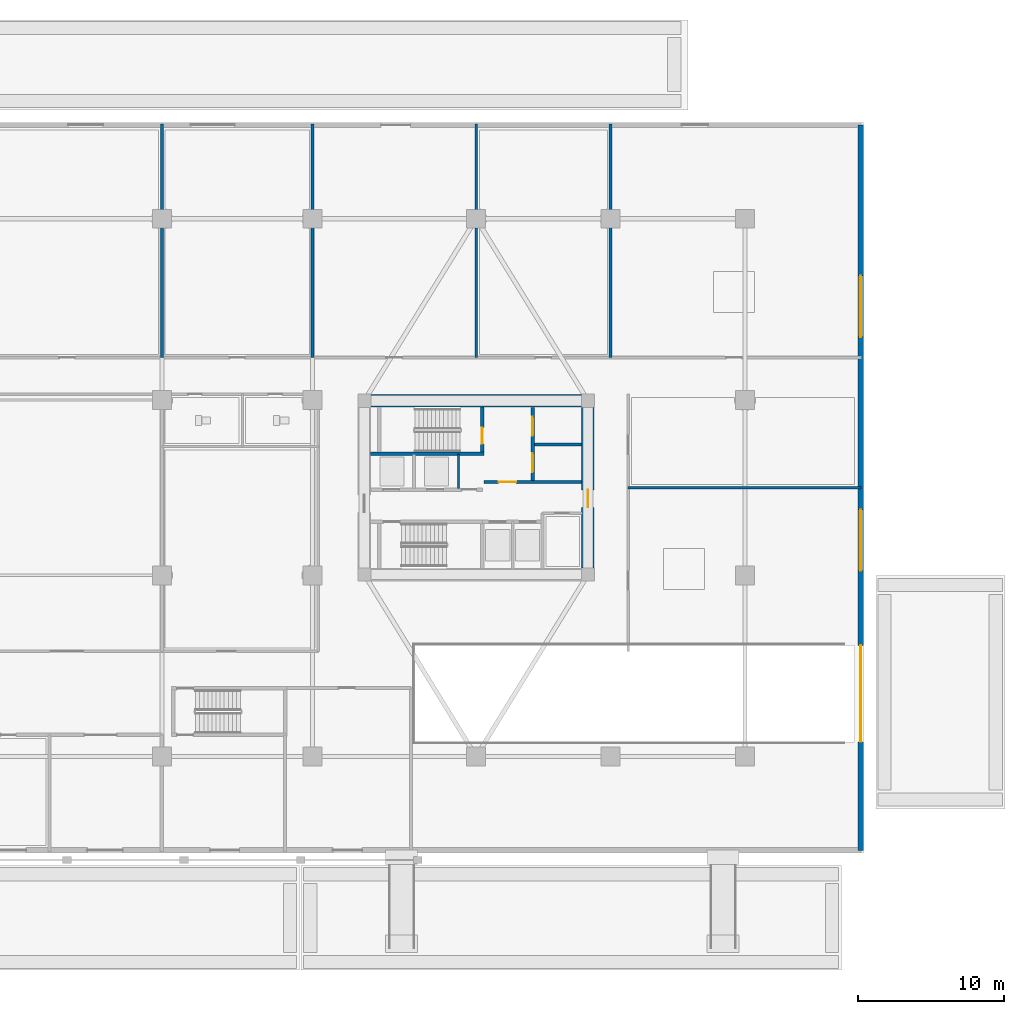
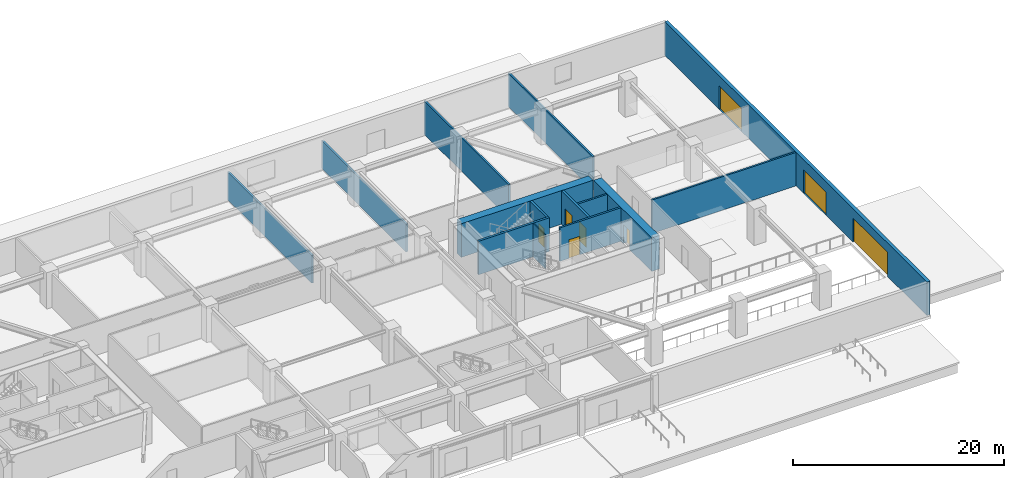
# One storey, part 11 of 22: 14 walls, 8 doors, 8 openings.
"""IFC4 building model written with IfcOpenShell, lengths in metres."""

from ifc_helpers import new_model, si_unit, direction, frame, frame_2d, origin, place, context, subcontext, project, spatial, rectangle, extrude, source, transform, mapped, material, layer, layer_set, type_object, type_shapes, element, fill, save


model = new_model("IFC4")

# Units and contexts
model_context = context("Model", 3, precision=1e-05, world=origin(), true_north=direction((0.0, 1.0)))
body_context = subcontext(model_context, "Body", "Model", "MODEL_VIEW")
ifc_project = project(units=[si_unit("LENGTHUNIT", "METRE"), si_unit("AREAUNIT", "SQUARE_METRE"), si_unit("VOLUMEUNIT", "CUBIC_METRE"), si_unit("PLANEANGLEUNIT", "RADIAN"), si_unit("MASSUNIT", "GRAM", prefix="KILO")], contexts=[model_context])

# Site, building, storey
site_placement = place(None, origin())
site = spatial("IfcSite", under=ifc_project, at=site_placement, CompositionType="ELEMENT")
building_placement = place(site_placement, origin())
building = spatial("IfcBuilding", under=site, at=building_placement, Name="Norrkilde Senior Care Towers", CompositionType="ELEMENT")
storey_placement = place(building_placement, origin())
storey = spatial("IfcBuildingStorey", under=building, at=storey_placement, Name="L00", CompositionType="ELEMENT", Elevation=0.0)

# Wall
ifc_material_1 = material(Name="Concrete C60/75", Category="concrete")
ifc_layer_1 = layer(ifc_material_1, 0.85009765625)
ifc_layer_set_1 = layer_set([ifc_layer_1], Name="Concrete C60/75")
wall_type_1 = type_object("IfcWallType", Name="Core Shear Wall Z1 850", PredefinedType="SHEAR", material=ifc_layer_set_1)
shared_shape_1 = source(origin(), body_context, "Body", "SweptSolid", [
    extrude(rectangle(XDim=14.39990234375, YDim=0.85009765625, at=frame_2d((7.199951171875, 0.0))), origin(), (0.0, 0.0, 1.0), 3.8798828125),
])
wall_1_placement = place(storey_placement, frame((20.800048828125, 5.949951171875, 0.0), z_axis=(0.0, 0.0, 1.0), x_axis=(1.0, 0.0, 0.0)))
element("IfcWall", 1, at=wall_1_placement, inside=storey, type_object=wall_type_1, Name="L00 Core E North Shear Wall", PredefinedType="SHEAR", context=body_context, shape_type="MappedRepresentation", body=[
    mapped(shared_shape_1, transform((0.0, 0.0, 0.0), x_axis=(1.0, 0.0, 0.0), y_axis=(0.0, 1.0, 0.0), z_axis=(0.0, 0.0, 1.0), scale=1.0)),
])

# Wall, opening, door
shared_shape_2 = source(origin(), body_context, "Body", "SweptSolid", [
    extrude(rectangle(XDim=11.0, YDim=0.85009765625, at=frame_2d((5.5, 0.0))), origin(), (0.0, 0.0, 1.0), 3.8798828125),
])
type_shapes(wall_type_1, [shared_shape_1, shared_shape_2])
wall_2_placement = place(storey_placement, frame((35.64990234375, 5.5, 0.0), z_axis=(0.0, 0.0, 1.0), x_axis=(0.0, -1.0, 0.0)))
wall_2 = element("IfcWall", 2, at=wall_2_placement, inside=storey, type_object=wall_type_1, Name="L00 Core E East Shear Wall", PredefinedType="SHEAR", context=body_context, shape_type="MappedRepresentation", body=[
    mapped(shared_shape_2, transform((0.0, 0.0, 0.0), x_axis=(1.0, 0.0, 0.0), y_axis=(0.0, 1.0, 0.0), z_axis=(0.0, 0.0, 1.0), scale=1.0)),
])
opening_1_placement = place(wall_2_placement, frame((5.64990234375, 0.0, 0.0)))
opening_1 = element("IfcOpeningElement", 3, at=opening_1_placement, cuts=wall_2, Name="Opening D-04", PredefinedType="OPENING", context=body_context, shape_type="SweptSolid", body=[
    extrude(rectangle(XDim=1.199951171875, YDim=2.14990234375, at=frame_2d((0.60009765625, 1.074951171875))), frame((0.0, 0.43505859375, 0.0), z_axis=(0.0, -1.0, 0.0), x_axis=(1.0, 0.0, 0.0)), (0.0, 0.0, 1.0), 0.8701171875),
])
ifc_material_2 = material(Name="Galvanised Painted Steel", Category="steel")
door_type_1 = type_object("IfcDoorType", Name="Firefighting Lobby Fire Door 1200x2150", OperationType="NOTDEFINED", PredefinedType="DOOR", material=ifc_material_2)
shared_shape_3 = source(origin(), body_context, "Body", "SweptSolid", [
    extrude(rectangle(XDim=1.199951171875, YDim=2.14990234375, at=frame_2d((0.60009765625, 1.074951171875))), frame((0.0, 0.02490234375, 0.0), z_axis=(0.0, -1.0, 0.0), x_axis=(1.0, 0.0, 0.0)), (0.0, 0.0, 1.0), 0.050048828125),
])
type_shapes(door_type_1, [shared_shape_3])
door_1_placement = place(opening_1_placement, frame((1.199951171875, 0.0, 0.0), z_axis=(0.0, 0.0, 1.0), x_axis=(-1.0, 0.0, 0.0)))
door_1 = element("IfcDoor", 4, at=door_1_placement, inside=storey, type_object=door_type_1, Name="L00 Core E East Portal Door", OperationType="SINGLE_SWING_RIGHT", OverallHeight=2.14990234375, OverallWidth=1.199951171875, PredefinedType="DOOR", context=body_context, shape_type="MappedRepresentation", body=[
    mapped(shared_shape_3, transform((0.0, 0.0, 0.0), x_axis=(1.0, 0.0, 0.0), y_axis=(0.0, 1.0, 0.0), z_axis=(0.0, 0.0, 1.0), scale=1.0)),
])
fill(opening_1, door_1)

# Wall, openings, doors
ifc_material_3 = material(Name="Precast concrete C45/55", Category="concrete")
ifc_layer_2 = layer(ifc_material_3, 0.360107421875)
ifc_layer_set_2 = layer_set([ifc_layer_2], Name="Precast concrete C45/55")
wall_type_2 = type_object("IfcWallType", Name="Podium Facade Wall 360", PredefinedType="SOLIDWALL", material=ifc_layer_set_2)
shared_shape_4 = source(origin(), body_context, "Body", "SweptSolid", [
    extrude(rectangle(XDim=49.64013671875, YDim=0.360107421875, at=frame_2d((24.820068359375, 0.0))), origin(), (0.0, 0.0, 1.0), 3.8798828125),
])
type_shapes(wall_type_2, [shared_shape_4])
wall_3_placement = place(storey_placement, frame((54.320068359375, 24.820068359375, 0.0), z_axis=(0.0, 0.0, 1.0), x_axis=(0.0, -1.0, 0.0)))
wall_3 = element("IfcWall", 5, at=wall_3_placement, inside=storey, type_object=wall_type_2, Name="L00 Podium E Facade Wall", PredefinedType="SOLIDWALL", context=body_context, shape_type="MappedRepresentation", body=[
    mapped(shared_shape_4, transform((0.0, 0.0, 0.0), x_axis=(1.0, 0.0, 0.0), y_axis=(0.0, 1.0, 0.0), z_axis=(0.0, 0.0, 1.0), scale=1.0)),
])
opening_2_placement = place(wall_3_placement, frame((35.6201171875, 0.0, 0.0)))
opening_2 = element("IfcOpeningElement", 6, at=opening_2_placement, cuts=wall_3, Name="Opening VG-01", PredefinedType="OPENING", context=body_context, shape_type="SweptSolid", body=[
    extrude(rectangle(XDim=6.60009765625, YDim=2.800048828125, at=frame_2d((3.300048828125, 1.39990234375))), frame((0.0, 0.18994140625, 0.0), z_axis=(0.0, -1.0, 0.0), x_axis=(1.0, 0.0, 0.0)), (0.0, 0.0, 1.0), 0.380126953125),
])
opening_3_placement = place(wall_3_placement, frame((10.320068359375, 0.0, 0.0)))
opening_3 = element("IfcOpeningElement", 7, at=opening_3_placement, cuts=wall_3, Name="Opening VG-02", PredefinedType="OPENING", context=body_context, shape_type="SweptSolid", body=[
    extrude(rectangle(XDim=4.199951171875, YDim=2.699951171875, at=frame_2d((2.10009765625, 1.35009765625))), frame((0.0, 0.18994140625, 0.0), z_axis=(0.0, -1.0, 0.0), x_axis=(1.0, 0.0, 0.0)), (0.0, 0.0, 1.0), 0.380126953125),
])
opening_4_placement = place(wall_3_placement, frame((26.320068359375, 0.0, 0.0)))
opening_4 = element("IfcOpeningElement", 8, at=opening_4_placement, cuts=wall_3, Name="Opening VG-02", PredefinedType="OPENING", context=body_context, shape_type="SweptSolid", body=[
    extrude(rectangle(XDim=4.199951171875, YDim=2.699951171875, at=frame_2d((2.10009765625, 1.35009765625))), frame((0.0, 0.18994140625, 0.0), z_axis=(0.0, -1.0, 0.0), x_axis=(1.0, 0.0, 0.0)), (0.0, 0.0, 1.0), 0.380126953125),
])
door_type_2 = type_object("IfcDoorType", Name="Vehicle Ramp Roller Shutter Gate 6600x2800", OperationType="NOTDEFINED", PredefinedType="GATE", material=ifc_material_2)
shared_shape_5 = source(origin(), body_context, "Body", "SweptSolid", [
    extrude(rectangle(XDim=6.60009765625, YDim=2.800048828125, at=frame_2d((3.300048828125, 1.39990234375))), frame((0.0, 0.02490234375, 0.0), z_axis=(0.0, -1.0, 0.0), x_axis=(1.0, 0.0, 0.0)), (0.0, 0.0, 1.0), 0.050048828125),
])
type_shapes(door_type_2, [shared_shape_5])
door_2_placement = place(opening_2_placement, origin())
door_2 = element("IfcDoor", 9, at=door_2_placement, inside=storey, type_object=door_type_2, Name="L00 Vehicle Ramp Portal Gate VG-01", OperationType="ROLLINGUP", OverallHeight=2.800048828125, OverallWidth=6.60009765625, PredefinedType="GATE", context=body_context, shape_type="MappedRepresentation", body=[
    mapped(shared_shape_5, transform((0.0, 0.0, 0.0), x_axis=(1.0, 0.0, 0.0), y_axis=(0.0, 1.0, 0.0), z_axis=(0.0, 0.0, 1.0), scale=1.0)),
])
fill(opening_2, door_2)
door_type_3 = type_object("IfcDoorType", Name="Service Bay Shutter Gate 4200x2700", OperationType="NOTDEFINED", PredefinedType="GATE", material=ifc_material_2)
shared_shape_6 = source(origin(), body_context, "Body", "SweptSolid", [
    extrude(rectangle(XDim=4.199951171875, YDim=2.699951171875, at=frame_2d((2.10009765625, 1.35009765625))), frame((0.0, 0.02490234375, 0.0), z_axis=(0.0, -1.0, 0.0), x_axis=(1.0, 0.0, 0.0)), (0.0, 0.0, 1.0), 0.050048828125),
])
type_shapes(door_type_3, [shared_shape_6])
door_3_placement = place(opening_3_placement, origin())
door_3 = element("IfcDoor", 10, at=door_3_placement, inside=storey, type_object=door_type_3, Name="L00 Clinical Supply Bay Gate 1", OperationType="ROLLINGUP", OverallHeight=2.699951171875, OverallWidth=4.199951171875, PredefinedType="GATE", context=body_context, shape_type="MappedRepresentation", body=[
    mapped(shared_shape_6, transform((0.0, 0.0, 0.0), x_axis=(1.0, 0.0, 0.0), y_axis=(0.0, 1.0, 0.0), z_axis=(0.0, 0.0, 1.0), scale=1.0)),
])
fill(opening_3, door_3)
door_4_placement = place(opening_4_placement, origin())
door_4 = element("IfcDoor", 11, at=door_4_placement, inside=storey, type_object=door_type_3, Name="L00 Refuse and Linen Bay Gate 2", OperationType="ROLLINGUP", OverallHeight=2.699951171875, OverallWidth=4.199951171875, PredefinedType="GATE", context=body_context, shape_type="MappedRepresentation", body=[
    mapped(shared_shape_6, transform((0.0, 0.0, 0.0), x_axis=(1.0, 0.0, 0.0), y_axis=(0.0, 1.0, 0.0), z_axis=(0.0, 0.0, 1.0), scale=1.0)),
])
fill(opening_4, door_4)

# Wall
ifc_material_4 = material(Name="Concrete C45/55", Category="concrete")
ifc_layer_3 = layer(ifc_material_4, 0.239990234375)
ifc_layer_set_3 = layer_set([ifc_layer_3], Name="Concrete C45/55")
wall_type_3 = type_object("IfcWallType", Name="Shaft and Stair Enclosure Wall 240", PredefinedType="PARTITIONING", material=ifc_layer_set_3)
shared_shape_7 = source(origin(), body_context, "Body", "SweptSolid", [
    extrude(rectangle(XDim=7.76513671875, YDim=0.239990234375, at=frame_2d((3.882568359375, 0.0))), origin(), (0.0, 0.0, 1.0), 3.8798828125),
])
wall_4_placement = place(storey_placement, frame((20.77490234375, 2.330078125, 0.0), z_axis=(0.0, 0.0, 1.0), x_axis=(1.0, 0.0, 0.0)))
element("IfcWall", 12, at=wall_4_placement, inside=storey, type_object=wall_type_3, Name="WL-INT-L00-E-ST1S", PredefinedType="PARTITIONING", context=body_context, shape_type="MappedRepresentation", body=[
    mapped(shared_shape_7, transform((0.0, 0.0, 0.0), x_axis=(1.0, 0.0, 0.0), y_axis=(0.0, 1.0, 0.0), z_axis=(0.0, 0.0, 1.0), scale=1.0)),
])

# Wall, opening, door
shared_shape_8 = source(origin(), body_context, "Body", "SweptSolid", [
    extrude(rectangle(XDim=3.074951171875, YDim=0.239990234375, at=frame_2d((1.53759765625, 0.0))), origin(), (0.0, 0.0, 1.0), 3.8798828125),
])
type_shapes(wall_type_3, [shared_shape_7, shared_shape_8])
wall_5_placement = place(storey_placement, frame((28.419921875, 2.449951171875, 0.0), z_axis=(0.0, 0.0, 1.0), x_axis=(0.0, 1.0, 0.0)))
wall_5 = element("IfcWall", 13, at=wall_5_placement, inside=storey, type_object=wall_type_3, Name="WL-INT-L00-E-ST1E", PredefinedType="PARTITIONING", context=body_context, shape_type="MappedRepresentation", body=[
    mapped(shared_shape_8, transform((0.0, 0.0, 0.0), x_axis=(1.0, 0.0, 0.0), y_axis=(0.0, 1.0, 0.0), z_axis=(0.0, 0.0, 1.0), scale=1.0)),
])
opening_5_placement = place(wall_5_placement, frame((0.550048828125, 0.0, 0.0)))
opening_5 = element("IfcOpeningElement", 14, at=opening_5_placement, cuts=wall_5, Name="Opening D-03", PredefinedType="OPENING", context=body_context, shape_type="SweptSolid", body=[
    extrude(rectangle(XDim=1.10009765625, YDim=2.14990234375, at=frame_2d((0.550048828125, 1.074951171875))), frame((0.0, 0.1298828125, 0.0), z_axis=(0.0, -1.0, 0.0), x_axis=(1.0, 0.0, 0.0)), (0.0, 0.0, 1.0), 0.260009765625),
])
door_type_4 = type_object("IfcDoorType", Name="Stairwell Protected Fire Door 1100x2150", OperationType="NOTDEFINED", PredefinedType="DOOR", material=ifc_material_2)
shared_shape_9 = source(origin(), body_context, "Body", "SweptSolid", [
    extrude(rectangle(XDim=1.10009765625, YDim=2.14990234375, at=frame_2d((0.550048828125, 1.074951171875))), frame((0.0, 0.02490234375, 0.0), z_axis=(0.0, -1.0, 0.0), x_axis=(1.0, 0.0, 0.0)), (0.0, 0.0, 1.0), 0.050048828125),
])
type_shapes(door_type_4, [shared_shape_9])
door_5_placement = place(opening_5_placement, origin())
door_5 = element("IfcDoor", 15, at=door_5_placement, inside=storey, type_object=door_type_4, Name="L00 Stair E1 Fire Door", OperationType="SINGLE_SWING_LEFT", OverallHeight=2.14990234375, OverallWidth=1.10009765625, PredefinedType="DOOR", context=body_context, shape_type="MappedRepresentation", body=[
    mapped(shared_shape_9, transform((0.0, 0.0, 0.0), x_axis=(1.0, 0.0, 0.0), y_axis=(0.0, 1.0, 0.0), z_axis=(0.0, 0.0, 1.0), scale=1.0)),
])
fill(opening_5, door_5)

# Wall, openings, doors
ifc_layer_4 = layer(ifc_material_4, 0.239990234375)
ifc_layer_set_4 = layer_set([ifc_layer_4], Name="Concrete C45/55")
wall_type_4 = type_object("IfcWallType", Name="Lift and Plant Rated Enclosure Partition 240", PredefinedType="PARTITIONING", material=ifc_layer_set_4)
shared_shape_10 = source(origin(), body_context, "Body", "SweptSolid", [
    extrude(rectangle(XDim=5.0, YDim=0.239990234375, at=frame_2d((2.5, 0.0))), origin(), (0.0, 0.0, 1.0), 3.864990234375),
])
type_shapes(wall_type_4, [shared_shape_10])
wall_6_placement = place(storey_placement, frame((31.860107421875, 0.5, 0.0), z_axis=(0.0, 0.0, 1.0), x_axis=(0.0, 1.0, 0.0)))
wall_6 = element("IfcWall", 16, at=wall_6_placement, inside=storey, type_object=wall_type_4, Name="WL-INT-L00-E-FFLE", PredefinedType="PARTITIONING", context=body_context, shape_type="MappedRepresentation", body=[
    mapped(shared_shape_10, transform((0.0, 0.0, 0.0), x_axis=(1.0, 0.0, 0.0), y_axis=(0.0, 1.0, 0.0), z_axis=(0.0, 0.0, 1.0), scale=1.0)),
])
opening_6_placement = place(wall_6_placement, frame((3.050048828125, 0.0, 0.0)))
opening_6 = element("IfcOpeningElement", 17, at=opening_6_placement, cuts=wall_6, Name="Opening LD-02", PredefinedType="OPENING", context=body_context, shape_type="SweptSolid", body=[
    extrude(rectangle(XDim=1.300048828125, YDim=2.199951171875, at=frame_2d((0.64990234375, 1.10009765625))), frame((0.0, 0.1298828125, 0.0), z_axis=(0.0, -1.0, 0.0), x_axis=(1.0, 0.0, 0.0)), (0.0, 0.0, 1.0), 0.260009765625),
])
opening_7_placement = place(wall_6_placement, frame((0.550048828125, 0.0, 0.0)))
opening_7 = element("IfcOpeningElement", 18, at=opening_7_placement, cuts=wall_6, Name="Opening LD-02", PredefinedType="OPENING", context=body_context, shape_type="SweptSolid", body=[
    extrude(rectangle(XDim=1.300048828125, YDim=2.199951171875, at=frame_2d((0.64990234375, 1.10009765625))), frame((0.0, 0.1298828125, 0.0), z_axis=(0.0, -1.0, 0.0), x_axis=(1.0, 0.0, 0.0)), (0.0, 0.0, 1.0), 0.260009765625),
])
ifc_material_5 = material(Name="Stainless Steel", Category="steel")
door_type_5 = type_object("IfcDoorType", Name="Stretcher and FFL Landing Sliding Door 1300x2200", OperationType="NOTDEFINED", PredefinedType="DOOR", material=ifc_material_5)
shared_shape_11 = source(origin(), body_context, "Body", "SweptSolid", [
    extrude(rectangle(XDim=1.300048828125, YDim=2.199951171875, at=frame_2d((0.64990234375, 1.10009765625))), frame((0.0, 0.02490234375, 0.0), z_axis=(0.0, -1.0, 0.0), x_axis=(1.0, 0.0, 0.0)), (0.0, 0.0, 1.0), 0.050048828125),
])
type_shapes(door_type_5, [shared_shape_11])
door_6_placement = place(opening_6_placement, origin())
door_6 = element("IfcDoor", 19, at=door_6_placement, inside=storey, type_object=door_type_5, Name="L00 Firefighting Lift E1 Landing Door", OperationType="SLIDING_TO_LEFT", OverallHeight=2.199951171875, OverallWidth=1.300048828125, PredefinedType="DOOR", context=body_context, shape_type="MappedRepresentation", body=[
    mapped(shared_shape_11, transform((0.0, 0.0, 0.0), x_axis=(1.0, 0.0, 0.0), y_axis=(0.0, 1.0, 0.0), z_axis=(0.0, 0.0, 1.0), scale=1.0)),
])
fill(opening_6, door_6)
door_7_placement = place(opening_7_placement, origin())
door_7 = element("IfcDoor", 20, at=door_7_placement, inside=storey, type_object=door_type_5, Name="L00 Stretcher Lift E1 Landing Door", OperationType="SLIDING_TO_RIGHT", OverallHeight=2.199951171875, OverallWidth=1.300048828125, PredefinedType="DOOR", context=body_context, shape_type="MappedRepresentation", body=[
    mapped(shared_shape_11, transform((0.0, 0.0, 0.0), x_axis=(1.0, 0.0, 0.0), y_axis=(0.0, 1.0, 0.0), z_axis=(0.0, 0.0, 1.0), scale=1.0)),
])
fill(opening_7, door_7)

# Wall
ifc_layer_5 = layer(ifc_material_4, 0.199951171875)
ifc_layer_set_5 = layer_set([ifc_layer_5], Name="Concrete C45/55")
wall_type_5 = type_object("IfcWallType", Name="Shaft Division and Plant Partition 200", PredefinedType="PARTITIONING", material=ifc_layer_set_5)
shared_shape_12 = source(origin(), body_context, "Body", "SweptSolid", [
    extrude(rectangle(XDim=3.199951171875, YDim=0.199951171875, at=frame_2d((1.60009765625, 0.0))), origin(), (0.0, 0.0, 1.0), 3.864990234375),
])
type_shapes(wall_type_5, [shared_shape_12])
wall_7_placement = place(storey_placement, frame((32.0, 2.949951171875, 0.0), z_axis=(0.0, 0.0, 1.0), x_axis=(1.0, 0.0, 0.0)))
element("IfcWall", 21, at=wall_7_placement, inside=storey, type_object=wall_type_5, Name="WL-INT-L00-E-FFLDIV", PredefinedType="PARTITIONING", context=body_context, shape_type="MappedRepresentation", body=[
    mapped(shared_shape_12, transform((0.0, 0.0, 0.0), x_axis=(1.0, 0.0, 0.0), y_axis=(0.0, 1.0, 0.0), z_axis=(0.0, 0.0, 1.0), scale=1.0)),
])

# Wall, opening, door
ifc_layer_6 = layer(ifc_material_4, 0.2099609375)
ifc_layer_set_6 = layer_set([ifc_layer_6], Name="Concrete C45/55")
wall_type_6 = type_object("IfcWallType", Name="Firefighting Lobby Wall 210", PredefinedType="PARTITIONING", material=ifc_layer_set_6)
shared_shape_13 = source(origin(), body_context, "Body", "SweptSolid", [
    extrude(rectangle(XDim=6.659912109375, YDim=0.2099609375, at=frame_2d((3.330078125, 0.0))), origin(), (0.0, 0.0, 1.0), 3.864990234375),
])
type_shapes(wall_type_6, [shared_shape_13])
wall_8_placement = place(storey_placement, frame((28.5400390625, 0.389892578125, 0.0), z_axis=(0.0, 0.0, 1.0), x_axis=(1.0, 0.0, 0.0)))
wall_8 = element("IfcWall", 22, at=wall_8_placement, inside=storey, type_object=wall_type_6, Name="WL-INT-L00-E-FFLS", PredefinedType="PARTITIONING", context=body_context, shape_type="MappedRepresentation", body=[
    mapped(shared_shape_13, transform((0.0, 0.0, 0.0), x_axis=(1.0, 0.0, 0.0), y_axis=(0.0, 1.0, 0.0), z_axis=(0.0, 0.0, 1.0), scale=1.0)),
])
opening_8_placement = place(wall_8_placement, frame((1.0, 0.0, 0.0)))
opening_8 = element("IfcOpeningElement", 23, at=opening_8_placement, cuts=wall_8, Name="Opening D-04", PredefinedType="OPENING", context=body_context, shape_type="SweptSolid", body=[
    extrude(rectangle(XDim=1.199951171875, YDim=2.14990234375, at=frame_2d((0.60009765625, 1.074951171875))), frame((0.0, 0.114990234375, 0.0), z_axis=(0.0, -1.0, 0.0), x_axis=(1.0, 0.0, 0.0)), (0.0, 0.0, 1.0), 0.22998046875),
])
door_8_placement = place(opening_8_placement, frame((1.199951171875, 0.0, 0.0), z_axis=(0.0, 0.0, 1.0), x_axis=(-1.0, 0.0, 0.0)))
door_8 = element("IfcDoor", 24, at=door_8_placement, inside=storey, type_object=door_type_1, Name="L00 Firefighting Lobby E Door", OperationType="SINGLE_SWING_LEFT", OverallHeight=2.14990234375, OverallWidth=1.199951171875, PredefinedType="DOOR", context=body_context, shape_type="MappedRepresentation", body=[
    mapped(shared_shape_3, transform((0.0, 0.0, 0.0), x_axis=(1.0, 0.0, 0.0), y_axis=(0.0, 1.0, 0.0), z_axis=(0.0, 0.0, 1.0), scale=1.0)),
])
fill(opening_8, door_8)

# Walls
ifc_material_6 = material(Name="Gypsum Acoustic Board")
ifc_layer_7 = layer(ifc_material_6, 0.114990234375)
ifc_layer_set_7 = layer_set([ifc_layer_7], Name="Gypsum Acoustic Board")
wall_type_7 = type_object("IfcWallType", Name="Internal Room Partition 115", PredefinedType="PARTITIONING", material=ifc_layer_set_7)
shared_shape_14 = source(origin(), body_context, "Body", "SweptSolid", [
    extrude(rectangle(XDim=2.330078125, YDim=0.114990234375, at=frame_2d((1.1650390625, 0.0))), origin(), (0.0, 0.0, 1.0), 3.864990234375),
])
type_shapes(wall_type_7, [shared_shape_14])
wall_9_placement = place(storey_placement, frame((26.7900390625, -0.050048828125, 0.0), z_axis=(0.0, 0.0, 1.0), x_axis=(0.0, 1.0, 0.0)))
element("IfcWall", 25, at=wall_9_placement, inside=storey, type_object=wall_type_7, Name="WL-INT-L00-E-RISW", PredefinedType="PARTITIONING", context=body_context, shape_type="MappedRepresentation", body=[
    mapped(shared_shape_14, transform((0.0, 0.0, 0.0), x_axis=(1.0, 0.0, 0.0), y_axis=(0.0, 1.0, 0.0), z_axis=(0.0, 0.0, 1.0), scale=1.0)),
])
ifc_layer_8 = layer(ifc_material_6, 0.18994140625)
ifc_layer_set_8 = layer_set([ifc_layer_8], Name="Gypsum Acoustic Board")
wall_type_8 = type_object("IfcWallType", Name="Unit Demising Acoustic Wall 190", PredefinedType="PARTITIONING", material=ifc_layer_set_8)
shared_shape_15 = source(origin(), body_context, "Body", "SweptSolid", [
    extrude(rectangle(XDim=15.9501953125, YDim=0.18994140625, at=frame_2d((7.97509765625, 0.0))), origin(), (0.0, 0.0, 1.0), 3.864990234375),
])
wall_10_placement = place(storey_placement, frame((38.39990234375, 0.0, 0.0), z_axis=(0.0, 0.0, 1.0), x_axis=(1.0, 0.0, 0.0)))
element("IfcWall", 26, at=wall_10_placement, inside=storey, type_object=wall_type_8, Name="WL-INT-L00-POD-OEH", PredefinedType="PARTITIONING", context=body_context, shape_type="MappedRepresentation", body=[
    mapped(shared_shape_15, transform((0.0, 0.0, 0.0), x_axis=(1.0, 0.0, 0.0), y_axis=(0.0, 1.0, 0.0), z_axis=(0.0, 0.0, 1.0), scale=1.0)),
])
shared_shape_16 = source(origin(), body_context, "Body", "SweptSolid", [
    extrude(rectangle(XDim=16.0, YDim=0.18994140625, at=frame_2d((8.0, 0.0))), origin(), (0.0, 0.0, 1.0), 3.864990234375),
])
for number, where, z_axis, x_axis, name in (
    (27, (28.0, 8.89990234375, 0.0), (0.0, 0.0, 1.0), (0.0, 1.0, 0.0), "WL-INT-L00-POD-NPV7"),
    (28, (37.199951171875, 8.89990234375, 0.0), (0.0, 0.0, 1.0), (0.0, 1.0, 0.0), "WL-INT-L00-POD-NPV8"),
):
    element("IfcWall", number, at=place(storey_placement, frame(where, z_axis=z_axis, x_axis=x_axis)), inside=storey, type_object=wall_type_8, Name=name, PredefinedType="PARTITIONING", context=body_context, shape_type="MappedRepresentation", body=[
        mapped(shared_shape_16, transform((0.0, 0.0, 0.0), x_axis=(1.0, 0.0, 0.0), y_axis=(0.0, 1.0, 0.0), z_axis=(0.0, 0.0, 1.0), scale=1.0)),
    ])
shared_shape_17 = source(origin(), body_context, "Body", "SweptSolid", [
    extrude(rectangle(XDim=16.0, YDim=0.18994140625, at=frame_2d((8.0, 0.0))), origin(), (0.0, 0.0, 1.0), 3.215087890625),
])
type_shapes(wall_type_8, [shared_shape_15, shared_shape_16, shared_shape_17])
for number, where, z_axis, x_axis, name in (
    (29, (6.5, 8.89990234375, 0.0), (0.0, 0.0, 1.0), (0.0, 1.0, 0.0), "WL-INT-L00-POD-NPV5"),
    (30, (16.800048828125, 8.89990234375, 0.0), (0.0, 0.0, 1.0), (0.0, 1.0, 0.0), "WL-INT-L00-POD-NPV6"),
):
    element("IfcWall", number, at=place(storey_placement, frame(where, z_axis=z_axis, x_axis=x_axis)), inside=storey, type_object=wall_type_8, Name=name, PredefinedType="PARTITIONING", context=body_context, shape_type="MappedRepresentation", body=[
        mapped(shared_shape_17, transform((0.0, 0.0, 0.0), x_axis=(1.0, 0.0, 0.0), y_axis=(0.0, 1.0, 0.0), z_axis=(0.0, 0.0, 1.0), scale=1.0)),
    ])

save(model, "model.ifc")
